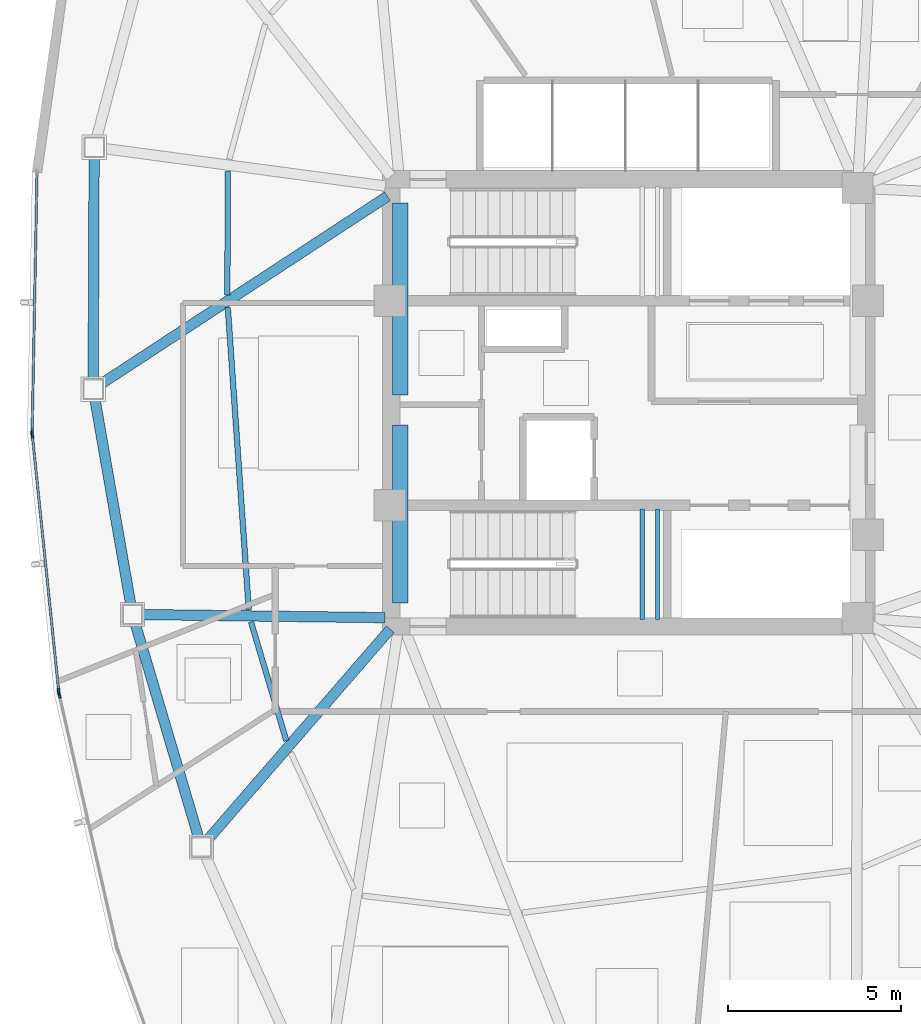
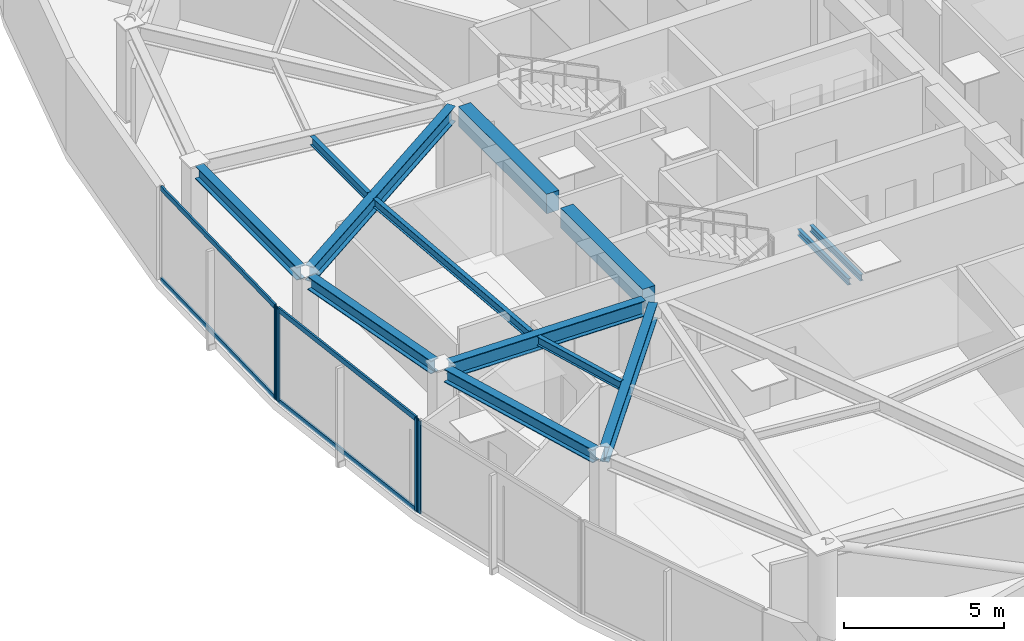
# One storey, part 4 of 17: 13 beams, 8 members, 3 elements without a shape of their own.
"""IFC4 building model written with IfcOpenShell, lengths in metres."""

from ifc_helpers import new_model, si_unit, direction, frame, origin, origin_2d, place, context, subcontext, project, spatial, rectangle, hollow_rectangle, i_section, extrude, source, transform, mapped, material, layer, layer_set, material_profile, profile_set, type_object, type_shapes, element, aggregate, save


model = new_model("IFC4")

# Units and contexts
model_context = context("Model", 3, precision=1e-05, world=origin(), true_north=direction((0.0, 1.0)))
body_context = subcontext(model_context, "Body", "Model", "MODEL_VIEW")
ifc_project = project(units=[si_unit("LENGTHUNIT", "METRE"), si_unit("AREAUNIT", "SQUARE_METRE"), si_unit("VOLUMEUNIT", "CUBIC_METRE"), si_unit("PLANEANGLEUNIT", "RADIAN"), si_unit("MASSUNIT", "GRAM", prefix="KILO")], contexts=[model_context])

# Site, building, storey
site_placement = place(None, origin())
site = spatial("IfcSite", under=ifc_project, at=site_placement, CompositionType="ELEMENT")
building_placement = place(site_placement, origin())
building = spatial("IfcBuilding", under=site, at=building_placement, Name="Tavelor Broadcast Tower", CompositionType="ELEMENT")
storey_placement = place(building_placement, frame((0.0, 0.0, 169.5)))
storey = spatial("IfcBuildingStorey", under=building, at=storey_placement, Name="L40", CompositionType="ELEMENT", Elevation=169.5)

# Beams
ifc_material_1 = material(Name="Concrete C40/50", Category="concrete")
ifc_material_profile_1 = material_profile(ifc_material_1, rectangle(XDim=0.449951171875, YDim=0.75, at=origin_2d()), Name="RC 450x750")
ifc_profile_set_1 = profile_set([ifc_material_profile_1], Name="Concrete C40/50")
beam_type_1 = type_object("IfcBeamType", Name="Basement Core Trim Beam 450x750", PredefinedType="BEAM", material=ifc_profile_set_1)
beam_1_placement = place(storey_placement, frame((43.39990234375, 45.23193359375, 3.175048828125), z_axis=(0.0, 1.0, 0.0), x_axis=(-1.0, 0.0, 0.0)))
element("IfcBeam", 1, at=beam_1_placement, inside=storey, type_object=beam_type_1, Name="L40 Core West-N Tie Girder", PredefinedType="BEAM", context=body_context, shape_type="SweptSolid", body=[
    extrude(rectangle(XDim=0.449951171875, YDim=0.75, at=origin_2d()), origin(), (0.0, 0.0, 1.0), 5.5361328125),
])
beam_2_placement = place(storey_placement, frame((43.39990234375, 39.23193359375, 3.175048828125), z_axis=(0.0, 1.0, 0.0), x_axis=(-1.0, 0.0, 0.0)))
element("IfcBeam", 2, at=beam_2_placement, inside=storey, type_object=beam_type_1, Name="L40 Core West-S Tie Girder", PredefinedType="BEAM", context=body_context, shape_type="SweptSolid", body=[
    extrude(rectangle(XDim=0.449951171875, YDim=0.75, at=origin_2d()), origin(), (0.0, 0.0, 1.0), 5.135986328125),
])
ifc_material_2 = material(Name="Steel S355", Category="steel")
ifc_material_profile_2 = material_profile(ifc_material_2, i_section(OverallWidth=0.159912109375, OverallDepth=0.330078125, WebThickness=0.007568359375, FlangeThickness=0.011474609375, at=origin_2d()), Name="IPE 330")
ifc_profile_set_2 = profile_set([ifc_material_profile_2], Name="Steel S355")
beam_type_2 = type_object("IfcBeamType", Name="Composite Floor Joist T4 IPE 330", PredefinedType="JOIST", material=ifc_profile_set_2)
beam_3_placement = place(storey_placement, frame((38.428955078125, 51.68310546875, 3.385009765625), z_axis=(-0.002943579799, -0.99999566766, 0.0), x_axis=(0.99999566766, -0.002943579799, 0.0)))
element("IfcBeam", 3, at=beam_3_placement, inside=storey, type_object=beam_type_2, Name="L40 Secondary Composite Floor Joist 03", PredefinedType="JOIST", context=body_context, shape_type="SweptSolid", body=[
    extrude(i_section(OverallWidth=0.159912109375, OverallDepth=0.330078125, WebThickness=0.007568359375, FlangeThickness=0.011474609375, at=origin_2d()), origin(), (0.0, 0.0, 1.0), 3.56640625),
])
beam_4_placement = place(storey_placement, frame((38.430419921875, 47.755126953125, 3.385009765625), z_axis=(0.069281460066, -0.997597152808, 0.0), x_axis=(0.997597152808, 0.069281460066, 0.0)))
element("IfcBeam", 4, at=beam_4_placement, inside=storey, type_object=beam_type_2, Name="L40 Secondary Composite Floor Joist 04", PredefinedType="JOIST", context=body_context, shape_type="SweptSolid", body=[
    extrude(i_section(OverallWidth=0.159912109375, OverallDepth=0.330078125, WebThickness=0.007568359375, FlangeThickness=0.011474609375, at=origin_2d()), origin(), (0.0, 0.0, 1.0), 8.7392578125),
])
beam_5_placement = place(storey_placement, frame((39.10009765625, 38.682861328125, 3.385009765625), z_axis=(0.284738295298, -0.958605290613, 0.0), x_axis=(0.958605290613, 0.284738295298, 0.0)))
element("IfcBeam", 5, at=beam_5_placement, inside=storey, type_object=beam_type_2, Name="L40 Secondary Composite Floor Joist 05", PredefinedType="JOIST", context=body_context, shape_type="SweptSolid", body=[
    extrude(i_section(OverallWidth=0.159912109375, OverallDepth=0.330078125, WebThickness=0.007568359375, FlangeThickness=0.011474609375, at=origin_2d()), origin(), (0.0, 0.0, 1.0), 3.58056640625),
])
ifc_material_profile_3 = material_profile(ifc_material_2, i_section(OverallWidth=0.300048828125, OverallDepth=0.5, WebThickness=0.014404296875, FlangeThickness=0.028076171875, at=origin_2d()), Name="HEB 500")
ifc_profile_set_3 = profile_set([ifc_material_profile_3], Name="Steel S355")
beam_type_3 = type_object("IfcBeamType", Name="Perimeter Spandrel Beam T4 HEB 500", PredefinedType="SPANDREL", material=ifc_profile_set_3)
beam_6_placement = place(storey_placement, frame((34.573974609375, 52.09130859375, 3.300048828125), z_axis=(-0.004117073981, -0.999991524815, 0.0), x_axis=(0.999991524815, -0.004117073981, 0.0)))
element("IfcBeam", 6, at=beam_6_placement, inside=storey, type_object=beam_type_3, Name="L40 Framed-Tube Ring Spandrel 03", PredefinedType="SPANDREL", context=body_context, shape_type="SweptSolid", body=[
    extrude(i_section(OverallWidth=0.300048828125, OverallDepth=0.5, WebThickness=0.014404296875, FlangeThickness=0.028076171875, at=origin_2d()), origin(), (0.0, 0.0, 1.0), 6.404296875),
])
beam_7_placement = place(storey_placement, frame((34.595947265625, 45.115478515625, 3.300048828125), z_axis=(0.171987908601, -0.985099060651, 0.0), x_axis=(0.985099060651, 0.171987908601, 0.0)))
element("IfcBeam", 7, at=beam_7_placement, inside=storey, type_object=beam_type_3, Name="L40 Framed-Tube Ring Spandrel 04", PredefinedType="SPANDREL", context=body_context, shape_type="SweptSolid", body=[
    extrude(i_section(OverallWidth=0.300048828125, OverallDepth=0.5, WebThickness=0.014404296875, FlangeThickness=0.028076171875, at=origin_2d()), origin(), (0.0, 0.0, 1.0), 6.021728515625),
])
beam_8_placement = place(storey_placement, frame((35.7626953125, 38.623779296875, 3.300048828125), z_axis=(0.283962764381, -0.958835308301, 0.0), x_axis=(0.958835308301, 0.283962764381, 0.0)))
element("IfcBeam", 8, at=beam_8_placement, inside=storey, type_object=beam_type_3, Name="L40 Framed-Tube Ring Spandrel 05", PredefinedType="SPANDREL", context=body_context, shape_type="SweptSolid", body=[
    extrude(i_section(OverallWidth=0.300048828125, OverallDepth=0.5, WebThickness=0.014404296875, FlangeThickness=0.028076171875, at=origin_2d()), origin(), (0.0, 0.0, 1.0), 6.421630859375),
])
ifc_material_profile_4 = material_profile(ifc_material_2, i_section(OverallWidth=0.300048828125, OverallDepth=0.590087890625, WebThickness=0.012939453125, FlangeThickness=0.02490234375, at=origin_2d()), Name="HEA 600")
ifc_profile_set_4 = profile_set([ifc_material_profile_4], Name="Steel S355")
beam_type_4 = type_object("IfcBeamType", Name="Radial Floor Girder T4 HEA 600", PredefinedType="BEAM", material=ifc_profile_set_4)
beam_9_placement = place(storey_placement, frame((43.038818359375, 50.963134765625, 3.2548828125), z_axis=(-0.83645565271, -0.548034616652, 0.0), x_axis=(0.548034616652, -0.83645565271, 0.0)))
element("IfcBeam", 9, at=beam_9_placement, inside=storey, type_object=beam_type_4, Name="L40 Radial Primary Floor Girder 04", PredefinedType="BEAM", context=body_context, shape_type="SweptSolid", body=[
    extrude(i_section(OverallWidth=0.300048828125, OverallDepth=0.590087890625, WebThickness=0.012939453125, FlangeThickness=0.02490234375, at=origin_2d()), origin(), (0.0, 0.0, 1.0), 9.86474609375),
])
beam_10_placement = place(storey_placement, frame((42.968017578125, 38.8056640625, 3.2548828125), z_axis=(-0.99991627243, 0.012940175006, 0.0), x_axis=(-0.012940175006, -0.99991627243, 0.0)))
element("IfcBeam", 10, at=beam_10_placement, inside=storey, type_object=beam_type_4, Name="L40 Radial Primary Floor Girder 05", PredefinedType="BEAM", context=body_context, shape_type="SweptSolid", body=[
    extrude(i_section(OverallWidth=0.300048828125, OverallDepth=0.590087890625, WebThickness=0.012939453125, FlangeThickness=0.02490234375, at=origin_2d()), origin(), (0.0, 0.0, 1.0), 6.99951171875),
])
beam_11_placement = place(storey_placement, frame((43.116943359375, 38.4736328125, 3.2548828125), z_axis=(-0.655167826376, -0.755483367972, 0.0), x_axis=(0.755483367972, -0.655167826376, 0.0)))
element("IfcBeam", 11, at=beam_11_placement, inside=storey, type_object=beam_type_4, Name="L40 Radial Primary Floor Girder 06", PredefinedType="BEAM", context=body_context, shape_type="SweptSolid", body=[
    extrude(i_section(OverallWidth=0.300048828125, OverallDepth=0.590087890625, WebThickness=0.012939453125, FlangeThickness=0.02490234375, at=origin_2d()), origin(), (0.0, 0.0, 1.0), 8.02880859375),
])
ifc_material_profile_5 = material_profile(ifc_material_2, i_section(OverallWidth=0.1201171875, OverallDepth=0.239990234375, WebThickness=0.006103515625, FlangeThickness=0.009765625, at=origin_2d()), Name="IPE 240")
ifc_profile_set_5 = profile_set([ifc_material_profile_5], Name="Steel S355")
beam_type_5 = type_object("IfcBeamType", Name="Stairwell Landing Support Trimmer Beam IPE240", PredefinedType="BEAM", material=ifc_profile_set_5)
for number, where, z_axis, x_axis, name in (
    (12, (50.385009765625, 38.760009765625, 1.610107421875), (0.0, 1.0, 0.0), (-1.0, 0.0, 0.0), "L40 Stair Landing Support Beam 327"),
    (13, (50.824951171875, 38.760009765625, 1.610107421875), (0.0, 1.0, 0.0), (-1.0, 0.0, 0.0), "L40 Stair Landing Support Beam 328"),
):
    element("IfcBeam", number, at=place(storey_placement, frame(where, z_axis=z_axis, x_axis=x_axis)), inside=storey, type_object=beam_type_5, Name=name, PredefinedType="BEAM", context=body_context, shape_type="SweptSolid", body=[
        extrude(i_section(OverallWidth=0.1201171875, OverallDepth=0.239990234375, WebThickness=0.006103515625, FlangeThickness=0.009765625, at=origin_2d()), origin(), (0.0, 0.0, 1.0), 3.179931640625),
    ])

# Curtain wall, member
ifc_material_3 = material(Name="Architectural Anodized Aluminium", Category="aluminium")
ifc_layer = layer(ifc_material_3, 0.18994140625)
ifc_layer_set = layer_set([ifc_layer], Name="Architectural Anodized Aluminium")
curtain_wall_type = type_object("IfcCurtainWallType", Name="Tower Mid-Zone Acoustic Curtain Wall CW03", PredefinedType="NOTDEFINED", material=ifc_layer_set)
curtain_wall_1_placement = place(storey_placement, origin())
curtain_wall_1 = element("IfcCurtainWall", 14, at=curtain_wall_1_placement, inside=storey, type_object=curtain_wall_type, Name="L40 Curtain Wall CW03 Run 421", PredefinedType="NOTDEFINED")
ifc_material_profile_6 = material_profile(ifc_material_3, hollow_rectangle(XDim=0.068115234375, YDim=0.18994140625, WallThickness=0.02197265625, at=origin_2d()), Name="RHS 68x190x22")
ifc_profile_set_6 = profile_set([ifc_material_profile_6], Name="Architectural Anodized Aluminium")
member_type_1 = type_object("IfcMemberType", Name="CW03 Extruded Aluminium Mullion 68x190", PredefinedType="MULLION", material=ifc_profile_set_6)
shared_shape_1 = source(origin(), body_context, "Body", "SweptSolid", [
    extrude(hollow_rectangle(XDim=0.068115234375, YDim=0.18994140625, WallThickness=0.02197265625, at=origin_2d()), origin(), (0.0, 0.0, 1.0), 3.550048828125),
])
type_shapes(member_type_1, [shared_shape_1])
member_1_placement = place(storey_placement, frame((32.786376953125, 44.176513671875, 0.0), z_axis=(0.0, 0.0, 1.0), x_axis=(0.999823860004, -0.018768296874, 0.0)))
member_1 = element("IfcMember", 15, at=member_1_placement, type_object=member_type_1, Name="CW03 mullion 2", PredefinedType="MULLION", context=body_context, shape_type="MappedRepresentation", body=[
    mapped(shared_shape_1, transform((0.0, 0.0, 0.0), scale=1.0)),
])

# Curtain wall, members
curtain_wall_2_placement = place(storey_placement, origin())
curtain_wall_2 = element("IfcCurtainWall", 16, at=curtain_wall_2_placement, inside=storey, type_object=curtain_wall_type, Name="L40 Curtain Wall CW03 Run 422", PredefinedType="NOTDEFINED")
member_2_placement = place(storey_placement, frame((32.79052734375, 44.078857421875, 0.0), z_axis=(0.0, 0.0, 1.0), x_axis=(0.994746789685, 0.102366129224, 0.0)))
member_2 = element("IfcMember", 17, at=member_2_placement, type_object=member_type_1, Name="CW03 mullion 1", PredefinedType="MULLION", context=body_context, shape_type="MappedRepresentation", body=[
    mapped(shared_shape_1, transform((0.0, 0.0, 0.0), scale=1.0)),
])
member_3_placement = place(storey_placement, frame((33.55224609375, 36.677734375, 0.0), z_axis=(0.0, 0.0, 1.0), x_axis=(0.994746789685, 0.102366129224, 0.0)))
member_3 = element("IfcMember", 18, at=member_3_placement, type_object=member_type_1, Name="CW03 mullion 2", PredefinedType="MULLION", context=body_context, shape_type="MappedRepresentation", body=[
    mapped(shared_shape_1, transform((0.0, 0.0, 0.0), scale=1.0)),
])

# Curtain wall, member
curtain_wall_3_placement = place(storey_placement, origin())
curtain_wall_3 = element("IfcCurtainWall", 19, at=curtain_wall_3_placement, inside=storey, type_object=curtain_wall_type, Name="L40 Curtain Wall CW03 Run 423", PredefinedType="NOTDEFINED")
member_4_placement = place(storey_placement, frame((33.568115234375, 36.5810546875, 0.0), z_axis=(0.0, 0.0, 1.0), x_axis=(0.97504826859, 0.221992959165, 0.0)))
member_4 = element("IfcMember", 20, at=member_4_placement, type_object=member_type_1, Name="CW03 mullion 1", PredefinedType="MULLION", context=body_context, shape_type="MappedRepresentation", body=[
    mapped(shared_shape_1, transform((0.0, 0.0, 0.0), scale=1.0)),
])
aggregate(curtain_wall_3, [member_4])

# Member
ifc_material_profile_7 = material_profile(ifc_material_3, hollow_rectangle(XDim=0.068115234375, YDim=0.18994140625, WallThickness=0.02197265625, at=origin_2d()), Name="RHS 68x190x22")
ifc_profile_set_7 = profile_set([ifc_material_profile_7], Name="Architectural Anodized Aluminium")
member_type_2 = type_object("IfcMemberType", Name="CW03 Extruded Aluminium Transom 68x190", PredefinedType="USERDEFINED", material=ifc_profile_set_7)
shared_shape_2 = source(origin(), body_context, "Body", "SweptSolid", [
    extrude(hollow_rectangle(XDim=0.068115234375, YDim=0.18994140625, WallThickness=0.02197265625, at=origin_2d()), origin(), (0.0, 0.0, 1.0), 7.38720703125),
])
member_5_placement = place(storey_placement, frame((32.92578125, 51.5966796875, 0.033935546875), z_axis=(-0.018771689297, -0.999823796317, 0.0), x_axis=(0.999823796317, -0.018771689297, 0.0)))
member_5 = element("IfcMember", 21, at=member_5_placement, type_object=member_type_2, Name="CW03 transom 1.1", ObjectType="TRANSOM", PredefinedType="USERDEFINED", context=body_context, shape_type="MappedRepresentation", body=[
    mapped(shared_shape_2, transform((0.0, 0.0, 0.0), scale=1.0)),
])

member_6_placement = place(storey_placement, frame((32.92578125, 51.5966796875, 3.51611328125), z_axis=(-0.018771689297, -0.999823796317, 0.0), x_axis=(0.999823796317, -0.018771689297, 0.0)))
member_6 = element("IfcMember", 22, at=member_6_placement, type_object=member_type_2, Name="CW03 transom 1.2", ObjectType="TRANSOM", PredefinedType="USERDEFINED", context=body_context, shape_type="MappedRepresentation", body=[
    mapped(shared_shape_2, transform((0.0, 0.0, 0.0), scale=1.0)),
])

aggregate(curtain_wall_1, [member_1, member_5, member_6])

shared_shape_3 = source(origin(), body_context, "Body", "SweptSolid", [
    extrude(hollow_rectangle(XDim=0.068115234375, YDim=0.18994140625, WallThickness=0.02197265625, at=origin_2d()), origin(), (0.0, 0.0, 1.0), 7.37255859375),
])
type_shapes(member_type_2, [shared_shape_2, shared_shape_3])
member_7_placement = place(storey_placement, frame((32.7939453125, 44.045166015625, 0.033935546875), z_axis=(0.102391853508, -0.994744142147, 0.0), x_axis=(0.994744142147, 0.102391853508, 0.0)))
member_7 = element("IfcMember", 23, at=member_7_placement, type_object=member_type_2, Name="CW03 transom 1.1", ObjectType="TRANSOM", PredefinedType="USERDEFINED", context=body_context, shape_type="MappedRepresentation", body=[
    mapped(shared_shape_3, transform((0.0, 0.0, 0.0), scale=1.0)),
])

member_8_placement = place(storey_placement, frame((32.7939453125, 44.045166015625, 3.51611328125), z_axis=(0.102391853508, -0.994744142147, 0.0), x_axis=(0.994744142147, 0.102391853508, 0.0)))
member_8 = element("IfcMember", 24, at=member_8_placement, type_object=member_type_2, Name="CW03 transom 1.2", ObjectType="TRANSOM", PredefinedType="USERDEFINED", context=body_context, shape_type="MappedRepresentation", body=[
    mapped(shared_shape_3, transform((0.0, 0.0, 0.0), scale=1.0)),
])

aggregate(curtain_wall_2, [member_2, member_3, member_7, member_8])

save(model, "model.ifc")
